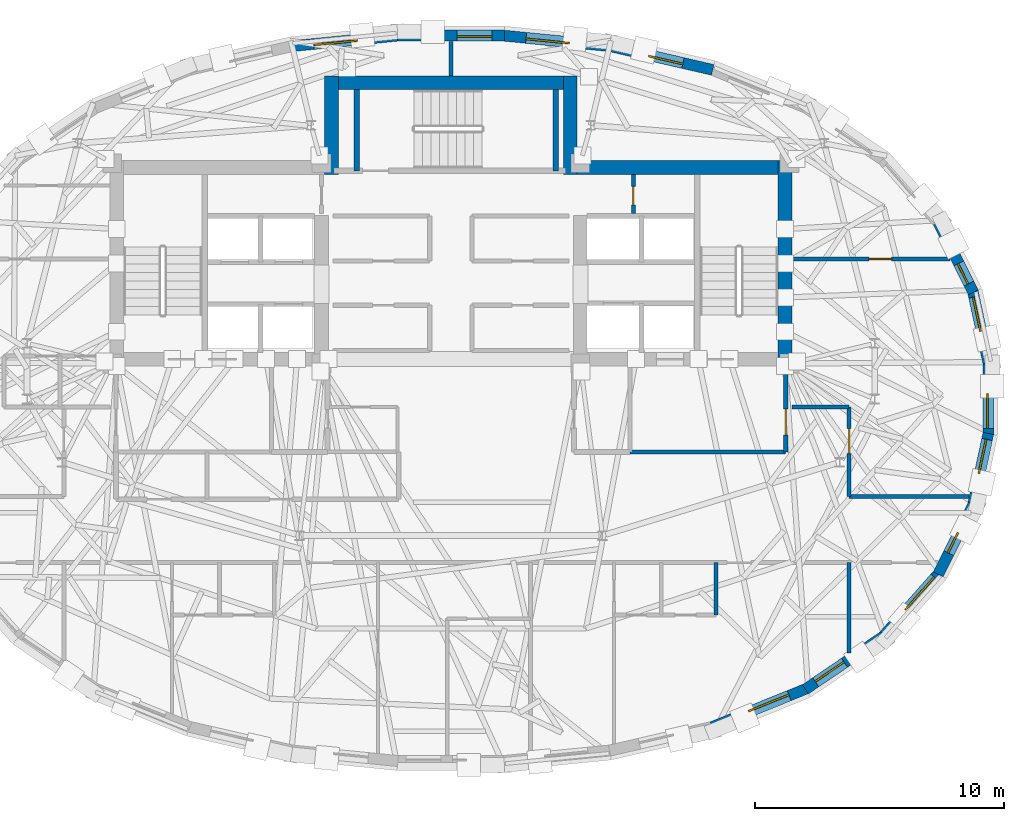
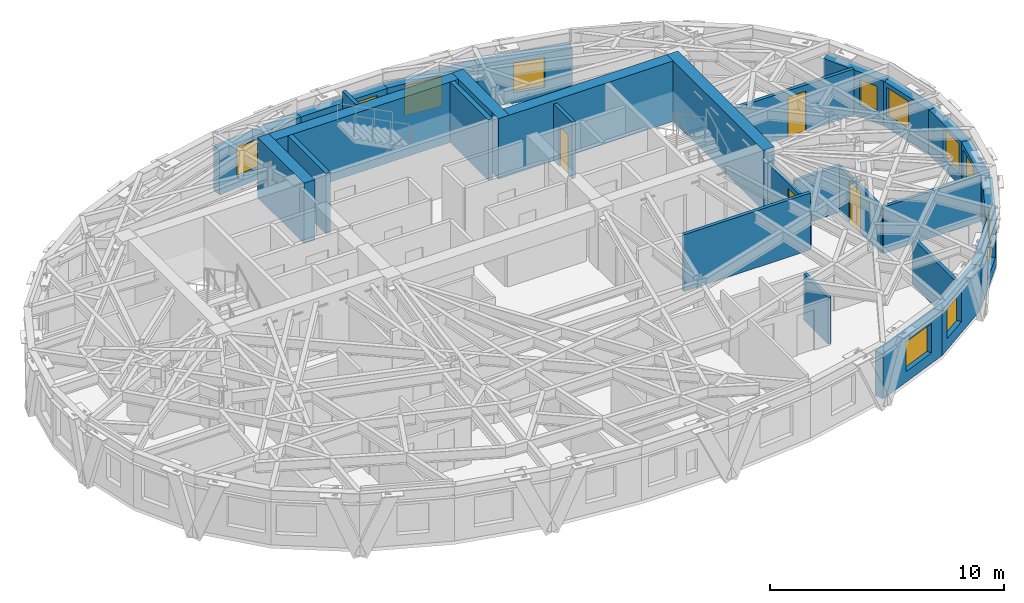
# One storey, part 9 of 13: 29 walls, 12 windows, 4 doors, 16 openings.
"""IFC4 building model written with IfcOpenShell, lengths in metres."""

from ifc_helpers import new_model, si_unit, direction, frame, frame_2d, origin, place, context, subcontext, project, spatial, rectangle, extrude, material, layer, layer_set, type_object, element, fill, save


model = new_model("IFC4")

# Units and contexts
model_context = context("Model", 3, precision=1e-05, world=origin(), true_north=direction((0.0, 1.0)))
body_context = subcontext(model_context, "Body", "Model", "MODEL_VIEW")
ifc_project = project(units=[si_unit("LENGTHUNIT", "METRE"), si_unit("AREAUNIT", "SQUARE_METRE"), si_unit("VOLUMEUNIT", "CUBIC_METRE"), si_unit("PLANEANGLEUNIT", "RADIAN"), si_unit("MASSUNIT", "GRAM", prefix="KILO")], contexts=[model_context])

# Site, building, storey
site_placement = place(None, origin())
site = spatial("IfcSite", under=ifc_project, at=site_placement, CompositionType="ELEMENT")
building_placement = place(site_placement, origin())
building = spatial("IfcBuilding", under=site, at=building_placement, Name="Keldmark Tower", CompositionType="ELEMENT")
storey_placement = place(building_placement, frame((0.0, 0.0, 235.199951171875)))
storey = spatial("IfcBuildingStorey", under=building, at=storey_placement, Name="L66", CompositionType="ELEMENT", Elevation=235.199951171875)

# Walls
ifc_material_1 = material(Name="Concrete C50/60", Category="concrete")
ifc_layer_1 = layer(ifc_material_1, 0.550048828125)
ifc_layer_set_1 = layer_set([ifc_layer_1], Name="Concrete C50/60")
wall_type_1 = type_object("IfcWallType", Name="High-Rise Core Shear Wall 550 mm", PredefinedType="SHEAR", material=ifc_layer_set_1)
wall_1_placement = place(storey_placement, frame((13.425048828125, 1.300048828125, 0.0), z_axis=(0.0, 0.0, 1.0), x_axis=(0.0, 1.0, 0.0)))
element("IfcWall", 1, at=wall_1_placement, inside=storey, type_object=wall_type_1, Name="L66 East Core Outer Shear Wall", PredefinedType="SHEAR", context=body_context, shape_type="SweptSolid", body=[
    extrude(rectangle(XDim=8.25, YDim=0.550048828125, at=frame_2d((4.125, 0.0))), origin(), (0.0, 0.0, 1.0), 3.150146484375),
])
wall_2_placement = place(storey_placement, frame((4.52490234375, 9.27490234375, 0.0), z_axis=(0.0, 0.0, 1.0), x_axis=(1.0, 0.0, 0.0)))
element("IfcWall", 2, at=wall_2_placement, inside=storey, type_object=wall_type_1, Name="L66 East Core North Shear Wall", PredefinedType="SHEAR", context=body_context, shape_type="SweptSolid", body=[
    extrude(rectangle(XDim=9.175048828125, YDim=0.550048828125, at=frame_2d((4.58740234375, 0.0))), origin(), (0.0, 0.0, 1.0), 3.150146484375),
])
wall_3_placement = place(storey_placement, frame((-5.074951171875, 12.675048828125, 0.0), z_axis=(0.0, 0.0, 1.0), x_axis=(1.0, 0.0, 0.0)))
element("IfcWall", 3, at=wall_3_placement, inside=storey, type_object=wall_type_1, Name="L66 North Core Shear Wall", PredefinedType="SHEAR", context=body_context, shape_type="SweptSolid", body=[
    extrude(rectangle(XDim=10.14990234375, YDim=0.550048828125, at=frame_2d((5.074951171875, 0.0))), origin(), (0.0, 0.0, 1.0), 3.150146484375),
])
for number, where, z_axis, x_axis, name in (
    (4, (-4.800048828125, 9.0, 0.0), (0.0, 0.0, 1.0), (0.0, 1.0, 0.0), "L66 North Core West Shear Wall"),
    (5, (4.800048828125, 9.0, 0.0), (0.0, 0.0, 1.0), (0.0, 1.0, 0.0), "L66 North Core East Shear Wall"),
):
    element("IfcWall", number, at=place(storey_placement, frame(where, z_axis=z_axis, x_axis=x_axis)), inside=storey, type_object=wall_type_1, Name=name, PredefinedType="SHEAR", context=body_context, shape_type="SweptSolid", body=[
        extrude(rectangle(XDim=3.949951171875, YDim=0.550048828125, at=frame_2d((1.97509765625, 0.0))), origin(), (0.0, 0.0, 1.0), 3.150146484375),
    ])
ifc_material_2 = material(Name="Type X Fire-Rated Gypsum Partition Assembly", Category="gypsum")
ifc_layer_2 = layer(ifc_material_2, 0.1650390625)
ifc_layer_set_2 = layer_set([ifc_layer_2], Name="Type X Fire-Rated Gypsum Partition Assembly")
wall_type_2 = type_object("IfcWallType", Name="Rated Partition 165 mm", PredefinedType="PARTITIONING", material=ifc_layer_set_2)
wall_4_placement = place(storey_placement, frame((7.199951171875, -2.14990234375, 0.0), z_axis=(0.0, 0.0, 1.0), x_axis=(1.0, 0.0, 0.0)))
element("IfcWall", 6, at=wall_4_placement, inside=storey, type_object=wall_type_2, Name="L66 Rated Partition 165 mm FSAE-E-S", PredefinedType="PARTITIONING", context=body_context, shape_type="SweptSolid", body=[
    extrude(rectangle(XDim=6.25, YDim=0.1650390625, at=frame_2d((3.125, 0.0))), origin(), (0.0, 0.0, 1.0), 2.969970703125),
])

# Wall, opening, door
wall_5_placement = place(storey_placement, frame((13.449951171875, -2.14990234375, 0.0), z_axis=(0.0, 0.0, 1.0), x_axis=(0.0, 1.0, 0.0)))
wall_5 = element("IfcWall", 7, at=wall_5_placement, inside=storey, type_object=wall_type_2, Name="L66 Rated Partition 165 mm FSAE-E-E", PredefinedType="PARTITIONING", context=body_context, shape_type="SweptSolid", body=[
    extrude(rectangle(XDim=3.5, YDim=0.1650390625, at=frame_2d((1.75, 0.0))), origin(), (0.0, 0.0, 1.0), 2.423095703125),
])
opening_1_placement = place(wall_5_placement, frame((0.669921875, 0.0, 0.0)))
opening_1 = element("IfcOpeningElement", 8, at=opening_1_placement, cuts=wall_5, Name="Opening D-FL105", PredefinedType="OPENING", context=body_context, shape_type="SweptSolid", body=[
    extrude(rectangle(XDim=1.050048828125, YDim=2.14990234375, at=frame_2d((0.52490234375, 1.074951171875))), frame((0.0, 0.092529296875, 0.0), z_axis=(0.0, -1.0, 0.0), x_axis=(1.0, 0.0, 0.0)), (0.0, 0.0, 1.0), 0.18505859375),
])
ifc_material_3 = material(Name="Fire-Rated Mineral-Core Door and Vision Lite", Category="metal")
door_type_1 = type_object("IfcDoorType", Name="Fire Lobby Door 1050x2150", OperationType="NOTDEFINED", PredefinedType="DOOR", material=ifc_material_3)
door_1_placement = place(opening_1_placement, origin())
door_1 = element("IfcDoor", 9, at=door_1_placement, inside=storey, type_object=door_type_1, Name="L66 Fire Lobby Door 1050x2150 D-FSAEE-OUT-L66", OperationType="SINGLE_SWING_RIGHT", OverallHeight=2.14990234375, OverallWidth=1.050048828125, PredefinedType="DOOR", context=body_context, shape_type="SweptSolid", body=[
    extrude(rectangle(XDim=1.050048828125, YDim=2.14990234375, at=frame_2d((0.52490234375, 1.074951171875))), frame((0.0, 0.02490234375, 0.0), z_axis=(0.0, -1.0, 0.0), x_axis=(1.0, 0.0, 0.0)), (0.0, 0.0, 1.0), 0.050048828125),
])
fill(opening_1, door_1)

wall_6_placement = place(storey_placement, frame((7.330078125, 7.419921875, 0.0), z_axis=(0.0, 0.0, 1.0), x_axis=(0.0, 1.0, 0.0)))
wall_6 = element("IfcWall", 10, at=wall_6_placement, inside=storey, type_object=wall_type_2, Name="L66 Rated Partition 165 mm CS-NE-W", PredefinedType="PARTITIONING", context=body_context, shape_type="SweptSolid", body=[
    extrude(rectangle(XDim=1.580078125, YDim=0.1650390625, at=frame_2d((0.7900390625, 0.0))), origin(), (0.0, 0.0, 1.0), 2.969970703125),
])
opening_2_placement = place(wall_6_placement, frame((0.35009765625, 0.0, 0.0)))
opening_2 = element("IfcOpeningElement", 11, at=opening_2_placement, cuts=wall_6, Name="Opening D-RS075", PredefinedType="OPENING", context=body_context, shape_type="SweptSolid", body=[
    extrude(rectangle(XDim=0.75, YDim=2.10009765625, at=frame_2d((0.375, 1.050048828125))), frame((0.0, 0.092529296875, 0.0), z_axis=(0.0, -1.0, 0.0), x_axis=(1.0, 0.0, 0.0)), (0.0, 0.0, 1.0), 0.18505859375),
])
ifc_material_4 = material(Name="Galvanized Fire-Rated Access Leaf", Category="metal")
door_type_2 = type_object("IfcDoorType", Name="Riser Access Door 750x2100", OperationType="NOTDEFINED", PredefinedType="DOOR", material=ifc_material_4)
door_2_placement = place(opening_2_placement, origin())
door_2 = element("IfcDoor", 12, at=door_2_placement, inside=storey, type_object=door_type_2, Name="L66 Riser Access Door 750x2100 D-CSNE1-L66", OperationType="SINGLE_SWING_RIGHT", OverallHeight=2.10009765625, OverallWidth=0.75, PredefinedType="DOOR", context=body_context, shape_type="SweptSolid", body=[
    extrude(rectangle(XDim=0.75, YDim=2.10009765625, at=frame_2d((0.375, 1.050048828125))), frame((0.0, 0.02490234375, 0.0), z_axis=(0.0, -1.0, 0.0), x_axis=(1.0, 0.0, 0.0)), (0.0, 0.0, 1.0), 0.050048828125),
])
fill(opening_2, door_2)

# Wall
wall_7_placement = place(storey_placement, frame((16.0, -3.949951171875, 0.0), z_axis=(0.0, 0.0, 1.0), x_axis=(1.0, 0.0, 0.0)))
element("IfcWall", 13, at=wall_7_placement, inside=storey, type_object=wall_type_2, Name="L66 Rated Partition 165 mm RCOR-EN-OUT", PredefinedType="PARTITIONING", context=body_context, shape_type="SweptSolid", body=[
    extrude(rectangle(XDim=4.81396484375, YDim=0.1650390625, at=frame_2d((2.406982421875, 0.0))), origin(), (0.0, 0.0, 1.0), 2.423095703125),
])

# Wall, opening, door
wall_8_placement = place(storey_placement, frame((16.0, -3.949951171875, 0.0), z_axis=(0.0, 0.0, 1.0), x_axis=(0.0, 1.0, 0.0)))
wall_8 = element("IfcWall", 14, at=wall_8_placement, inside=storey, type_object=wall_type_2, Name="L66 Rated Partition 165 mm RCOR-VE", PredefinedType="PARTITIONING", context=body_context, shape_type="SweptSolid", body=[
    extrude(rectangle(XDim=3.599853515625, YDim=0.1650390625, at=frame_2d((1.7998046875, 0.0))), origin(), (0.0, 0.0, 1.0), 2.35693359375),
])
opening_3_placement = place(wall_8_placement, frame((1.72998046875, 0.0, 0.0)))
opening_3 = element("IfcOpeningElement", 15, at=opening_3_placement, cuts=wall_8, Name="Opening D-FD100", PredefinedType="OPENING", context=body_context, shape_type="SweptSolid", body=[
    extrude(rectangle(XDim=1.0, YDim=2.14990234375, at=frame_2d((0.5, 1.074951171875))), frame((0.0, 0.092529296875, 0.0), z_axis=(0.0, -1.0, 0.0), x_axis=(1.0, 0.0, 0.0)), (0.0, 0.0, 1.0), 0.18505859375),
])
ifc_material_5 = material(Name="Hollow Metal Fire-Rated Corridor Door", Category="metal")
door_type_3 = type_object("IfcDoorType", Name="Fire Door 1000x2150", OperationType="NOTDEFINED", PredefinedType="DOOR", material=ifc_material_5)
door_3_placement = place(opening_3_placement, origin())
door_3 = element("IfcDoor", 16, at=door_3_placement, inside=storey, type_object=door_type_3, Name="L66 Fire Door 1000x2150 D-REM1-L66", OperationType="SINGLE_SWING_RIGHT", OverallHeight=2.14990234375, OverallWidth=1.0, PredefinedType="DOOR", context=body_context, shape_type="SweptSolid", body=[
    extrude(rectangle(XDim=1.0, YDim=2.14990234375, at=frame_2d((0.5, 1.074951171875))), frame((0.0, 0.02490234375, 0.0), z_axis=(0.0, -1.0, 0.0), x_axis=(1.0, 0.0, 0.0)), (0.0, 0.0, 1.0), 0.050048828125),
])
fill(opening_3, door_3)

# Walls
wall_9_placement = place(storey_placement, frame((13.699951171875, -0.35009765625, 0.0), z_axis=(0.0, 0.0, 1.0), x_axis=(1.0, 0.0, 0.0)))
element("IfcWall", 17, at=wall_9_placement, inside=storey, type_object=wall_type_2, Name="L66 Rated Partition 165 mm RCOR-VEN", PredefinedType="PARTITIONING", context=body_context, shape_type="SweptSolid", body=[
    extrude(rectangle(XDim=2.300048828125, YDim=0.1650390625, at=frame_2d((1.14990234375, 0.0))), origin(), (0.0, 0.0, 1.0), 2.423095703125),
])
wall_10_placement = place(storey_placement, frame((0.0, 12.949951171875, 0.0), z_axis=(0.0, 0.0, 1.0), x_axis=(0.0, 1.0, 0.0)))
element("IfcWall", 18, at=wall_10_placement, inside=storey, type_object=wall_type_2, Name="L66 Rated Partition 165 mm RN-DIV", PredefinedType="PARTITIONING", context=body_context, shape_type="SweptSolid", body=[
    extrude(rectangle(XDim=1.390869140625, YDim=0.1650390625, at=frame_2d((0.6953125, 0.0))), origin(), (0.0, 0.0, 1.0), 2.969970703125),
])

# Wall, opening, door
wall_11_placement = place(storey_placement, frame((13.699951171875, 5.60009765625, 0.0), z_axis=(0.0, 0.0, 1.0), x_axis=(1.0, 0.0, 0.0)))
wall_11 = element("IfcWall", 19, at=wall_11_placement, inside=storey, type_object=wall_type_2, Name="L66 Rated Partition 165 mm RE-NDIV", PredefinedType="PARTITIONING", context=body_context, shape_type="SweptSolid", body=[
    extrude(rectangle(XDim=6.35986328125, YDim=0.1650390625, at=frame_2d((3.179931640625, 0.0))), origin(), (0.0, 0.0, 1.0), 2.423095703125),
])
opening_4_placement = place(wall_11_placement, frame((3.10107421875, 0.0, 0.0)))
opening_4 = element("IfcOpeningElement", 20, at=opening_4_placement, cuts=wall_11, Name="Opening D-IN090", PredefinedType="OPENING", context=body_context, shape_type="SweptSolid", body=[
    extrude(rectangle(XDim=0.89990234375, YDim=2.10009765625, at=frame_2d((0.449951171875, 1.050048828125))), frame((0.0, 0.092529296875, 0.0), z_axis=(0.0, -1.0, 0.0), x_axis=(1.0, 0.0, 0.0)), (0.0, 0.0, 1.0), 0.18505859375),
])
ifc_material_6 = material(Name="Stained American White Oak Veneer", Category="wood")
door_type_4 = type_object("IfcDoorType", Name="Interior Door 900x2100", OperationType="NOTDEFINED", PredefinedType="DOOR", material=ifc_material_6)
door_4_placement = place(opening_4_placement, origin())
door_4 = element("IfcDoor", 21, at=door_4_placement, inside=storey, type_object=door_type_4, Name="L66 Interior Door 900x2100 D-REN1-L66", OperationType="SINGLE_SWING_LEFT", OverallHeight=2.10009765625, OverallWidth=0.89990234375, PredefinedType="DOOR", context=body_context, shape_type="SweptSolid", body=[
    extrude(rectangle(XDim=0.89990234375, YDim=2.10009765625, at=frame_2d((0.449951171875, 1.050048828125))), frame((0.0, 0.02490234375, 0.0), z_axis=(0.0, -1.0, 0.0), x_axis=(1.0, 0.0, 0.0)), (0.0, 0.0, 1.0), 0.050048828125),
])
fill(opening_4, door_4)

# Walls
wall_12_placement = place(storey_placement, frame((16.0, -10.220703125, 0.0), z_axis=(0.0, 0.0, 1.0), x_axis=(0.0, 1.0, 0.0)))
element("IfcWall", 22, at=wall_12_placement, inside=storey, type_object=wall_type_2, Name="L66 Rated Partition 165 mm RS-ECAP", PredefinedType="PARTITIONING", context=body_context, shape_type="SweptSolid", body=[
    extrude(rectangle(XDim=3.62060546875, YDim=0.1650390625, at=frame_2d((1.810302734375, 0.0))), origin(), (0.0, 0.0, 1.0), 2.423095703125),
])
ifc_material_7 = material(Name="Concrete C50/60", Category="concrete")
ifc_layer_3 = layer(ifc_material_7, 0.219970703125)
ifc_layer_set_3 = layer_set([ifc_layer_3], Name="Concrete C50/60")
wall_type_3 = type_object("IfcWallType", Name="Stair Core Shear Wall 220 mm", PredefinedType="SHEAR", material=ifc_layer_set_3)
for number, where, z_axis, x_axis, name in (
    (23, (-3.784912109375, 9.139892578125, 0.0), (0.0, 0.0, 1.0), (0.0, 1.0, 0.0), "L66 Central Stair Core West Shear Wall"),
    (24, (4.215087890625, 9.139892578125, 0.0), (0.0, 0.0, 1.0), (0.0, 1.0, 0.0), "L66 Central Stair Core East Shear Wall"),
):
    element("IfcWall", number, at=place(storey_placement, frame(where, z_axis=z_axis, x_axis=x_axis)), inside=storey, type_object=wall_type_3, Name=name, PredefinedType="SHEAR", context=body_context, shape_type="SweptSolid", body=[
        extrude(rectangle(XDim=3.260009765625, YDim=0.219970703125, at=frame_2d((1.6298828125, 0.0))), origin(), (0.0, 0.0, 1.0), 3.150146484375),
    ])

# Wall, opening, window
ifc_material_8 = material(Name="Ironspot Manganese Brick and Kasota Buff Limestone Spandrel Assembly", Category="masonry")
ifc_layer_4 = layer(ifc_material_8, 0.43994140625)
ifc_layer_set_4 = layer_set([ifc_layer_4], Name="Ironspot Manganese Brick and Kasota Buff Limestone Spandrel Assembly")
wall_type_4 = type_object("IfcWallType", Name="Tower Brick Pier and Spandrel Wall 440 mm", PredefinedType="STANDARD", material=ifc_layer_set_4)
wall_13_placement = place(storey_placement, frame((20.969482421875, 4.311279296875, 0.0), z_axis=(0.0, 0.0, 1.0), x_axis=(0.210540350534, -0.977585168053, 0.0)))
wall_13 = element("IfcWall", 25, at=wall_13_placement, inside=storey, type_object=wall_type_4, Name="L66 Exterior Brick and Spandrel Wall 01", PredefinedType="STANDARD", context=body_context, shape_type="SweptSolid", body=[
    extrude(rectangle(XDim=2.96728515625, YDim=0.43994140625, at=frame_2d((1.483642578125, 0.0))), origin(), (0.0, 0.0, 1.0), 2.3359375),
])
opening_5_placement = place(wall_13_placement, frame((0.24853515625, 0.0, 0.550048828125)))
opening_5 = element("IfcOpeningElement", 26, at=opening_5_placement, cuts=wall_13, Name="Opening W-08", PredefinedType="OPENING", context=body_context, shape_type="SweptSolid", body=[
    extrude(rectangle(XDim=1.39990234375, YDim=1.550048828125, at=frame_2d((0.699951171875, 0.77490234375))), frame((0.0, 0.22998046875, 0.0), z_axis=(0.0, -1.0, 0.0), x_axis=(1.0, 0.0, 0.0)), (0.0, 0.0, 1.0), 0.4599609375),
])
ifc_material_9 = material(Name="Thermally Broken Anodized Aluminum and Triple Low-E Argon Glazing", Category="aluminium")
window_type_1 = type_object("IfcWindowType", Name="Residential Corner Punched Window 1400x1550", PartitioningType="SINGLE_PANEL", PredefinedType="WINDOW", material=ifc_material_9)
window_1_placement = place(opening_5_placement, origin())
window_1 = element("IfcWindow", 27, at=window_1_placement, inside=storey, type_object=window_type_1, Name="L66 Deep-Set Window 01", OverallHeight=1.550048828125, OverallWidth=1.39990234375, PartitioningType="SINGLE_PANEL", PredefinedType="WINDOW", context=body_context, shape_type="SweptSolid", body=[
    extrude(rectangle(XDim=1.39990234375, YDim=1.550048828125, at=frame_2d((0.699951171875, 0.77490234375))), frame((0.0, -0.010009765625, 0.0), z_axis=(0.0, -1.0, 0.0), x_axis=(1.0, 0.0, 0.0)), (0.0, 0.0, 1.0), 0.06005859375),
])
fill(opening_5, window_1)

wall_14_placement = place(storey_placement, frame((19.578125, 7.068603515625, 0.0), z_axis=(0.0, 0.0, 1.0), x_axis=(0.448424724145, -0.893820601002, 0.0)))
wall_14 = element("IfcWall", 28, at=wall_14_placement, inside=storey, type_object=wall_type_4, Name="L66 Exterior Brick and Spandrel Wall 02", PredefinedType="STANDARD", context=body_context, shape_type="SweptSolid", body=[
    extrude(rectangle(XDim=3.1435546875, YDim=0.43994140625, at=frame_2d((1.57177734375, 0.0))), origin(), (0.0, 0.0, 1.0), 2.3359375),
])
opening_6_placement = place(wall_14_placement, frame((1.84423828125, 0.0, 0.580078125)))
opening_6 = element("IfcOpeningElement", 29, at=opening_6_placement, cuts=wall_14, Name="Opening W-09", PredefinedType="OPENING", context=body_context, shape_type="SweptSolid", body=[
    extrude(rectangle(XDim=0.89990234375, YDim=1.35009765625, at=frame_2d((0.449951171875, 0.675048828125))), frame((0.0, 0.22998046875, 0.0), z_axis=(0.0, -1.0, 0.0), x_axis=(1.0, 0.0, 0.0)), (0.0, 0.0, 1.0), 0.4599609375),
])
ifc_material_10 = material(Name="Thermally Broken Anodized Aluminum and Triple Low-E Argon Glazing", Category="aluminium")
window_type_2 = type_object("IfcWindowType", Name="Corner Pier Deep-Set Window 900x1350", PartitioningType="SINGLE_PANEL", PredefinedType="WINDOW", material=ifc_material_10)
window_2_placement = place(opening_6_placement, origin())
window_2 = element("IfcWindow", 30, at=window_2_placement, inside=storey, type_object=window_type_2, Name="L66 Deep-Set Window 02", OverallHeight=1.35009765625, OverallWidth=0.89990234375, PartitioningType="SINGLE_PANEL", PredefinedType="WINDOW", context=body_context, shape_type="SweptSolid", body=[
    extrude(rectangle(XDim=0.89990234375, YDim=1.35009765625, at=frame_2d((0.449951171875, 0.675048828125))), frame((0.0, -0.010009765625, 0.0), z_axis=(0.0, -1.0, 0.0), x_axis=(1.0, 0.0, 0.0)), (0.0, 0.0, 1.0), 0.06005859375),
])
fill(opening_6, window_2)

wall_15_placement = place(storey_placement, frame((6.376708984375, 14.150634765625, 0.0), z_axis=(0.0, 0.0, 1.0), x_axis=(0.974398936081, -0.224825962391, 0.0)))
wall_15 = element("IfcWall", 31, at=wall_15_placement, inside=storey, type_object=wall_type_4, Name="L66 Exterior Brick and Spandrel Wall 06", PredefinedType="STANDARD", context=body_context, shape_type="SweptSolid", body=[
    extrude(rectangle(XDim=4.25244140625, YDim=0.43994140625, at=frame_2d((2.126220703125, 0.0))), origin(), (0.0, 0.0, 1.0), 2.3359375),
])
opening_7_placement = place(wall_15_placement, frame((1.622314453125, 0.0, 0.550048828125)))
opening_7 = element("IfcOpeningElement", 32, at=opening_7_placement, cuts=wall_15, Name="Opening W-08", PredefinedType="OPENING", context=body_context, shape_type="SweptSolid", body=[
    extrude(rectangle(XDim=1.39990234375, YDim=1.550048828125, at=frame_2d((0.699951171875, 0.77490234375))), frame((0.0, 0.22998046875, 0.0), z_axis=(0.0, -1.0, 0.0), x_axis=(1.0, 0.0, 0.0)), (0.0, 0.0, 1.0), 0.4599609375),
])
window_3_placement = place(opening_7_placement, origin())
window_3 = element("IfcWindow", 33, at=window_3_placement, inside=storey, type_object=window_type_1, Name="L66 Deep-Set Window 06", OverallHeight=1.550048828125, OverallWidth=1.39990234375, PartitioningType="SINGLE_PANEL", PredefinedType="WINDOW", context=body_context, shape_type="SweptSolid", body=[
    extrude(rectangle(XDim=1.39990234375, YDim=1.550048828125, at=frame_2d((0.699951171875, 0.77490234375))), frame((0.0, -0.010009765625, 0.0), z_axis=(0.0, -1.0, 0.0), x_axis=(1.0, 0.0, 0.0)), (0.0, 0.0, 1.0), 0.06005859375),
])
fill(opening_7, window_3)

wall_16_placement = place(storey_placement, frame((2.126220703125, 14.56982421875, 0.0), z_axis=(0.0, 0.0, 1.0), x_axis=(0.995134540264, -0.098525361068, 0.0)))
wall_16 = element("IfcWall", 34, at=wall_16_placement, inside=storey, type_object=wall_type_4, Name="L66 Exterior Brick and Spandrel Wall 07", PredefinedType="STANDARD", context=body_context, shape_type="SweptSolid", body=[
    extrude(rectangle(XDim=4.29931640625, YDim=0.43994140625, at=frame_2d((2.149658203125, 0.0))), origin(), (0.0, 0.0, 1.0), 2.3359375),
])
opening_8_placement = place(wall_16_placement, frame((0.899658203125, 0.0, 0.550048828125)))
opening_8 = element("IfcOpeningElement", 35, at=opening_8_placement, cuts=wall_16, Name="Opening W-05", PredefinedType="OPENING", context=body_context, shape_type="SweptSolid", body=[
    extrude(rectangle(XDim=1.75, YDim=1.550048828125, at=frame_2d((0.875, 0.77490234375))), frame((0.0, 0.22998046875, 0.0), z_axis=(0.0, -1.0, 0.0), x_axis=(1.0, 0.0, 0.0)), (0.0, 0.0, 1.0), 0.4599609375),
])
ifc_material_11 = material(Name="Thermally Broken Anodized Aluminum and Triple Low-E Argon Glazing", Category="aluminium")
window_type_3 = type_object("IfcWindowType", Name="Residential Deep-Set Window 1750x1550", PartitioningType="DOUBLE_PANEL_VERTICAL", PredefinedType="WINDOW", material=ifc_material_11)
window_4_placement = place(opening_8_placement, origin())
window_4 = element("IfcWindow", 36, at=window_4_placement, inside=storey, type_object=window_type_3, Name="L66 Deep-Set Window 07", OverallHeight=1.550048828125, OverallWidth=1.75, PartitioningType="SINGLE_PANEL", PredefinedType="WINDOW", context=body_context, shape_type="SweptSolid", body=[
    extrude(rectangle(XDim=1.75, YDim=1.550048828125, at=frame_2d((0.875, 0.77490234375))), frame((0.0, -0.010009765625, 0.0), z_axis=(0.0, -1.0, 0.0), x_axis=(1.0, 0.0, 0.0)), (0.0, 0.0, 1.0), 0.06005859375),
])
fill(opening_8, window_4)

wall_17_placement = place(storey_placement, frame((-2.14794921875, 14.56884765625, 0.0), z_axis=(0.0, 0.0, 1.0), x_axis=(1.0, 0.0, 0.0)))
wall_17 = element("IfcWall", 37, at=wall_17_placement, inside=storey, type_object=wall_type_4, Name="L66 Exterior Brick and Spandrel Wall 08", PredefinedType="STANDARD", context=body_context, shape_type="SweptSolid", body=[
    extrude(rectangle(XDim=4.2958984375, YDim=0.43994140625, at=frame_2d((2.14794921875, 0.0))), origin(), (0.0, 0.0, 1.0), 2.3359375),
])
opening_9_placement = place(wall_17_placement, frame((2.396484375, 0.0, 0.580078125)))
opening_9 = element("IfcOpeningElement", 38, at=opening_9_placement, cuts=wall_17, Name="Opening W-08", PredefinedType="OPENING", context=body_context, shape_type="SweptSolid", body=[
    extrude(rectangle(XDim=1.39990234375, YDim=1.550048828125, at=frame_2d((0.699951171875, 0.77490234375))), frame((0.0, 0.22998046875, 0.0), z_axis=(0.0, -1.0, 0.0), x_axis=(1.0, 0.0, 0.0)), (0.0, 0.0, 1.0), 0.4599609375),
])
window_5_placement = place(opening_9_placement, origin())
window_5 = element("IfcWindow", 39, at=window_5_placement, inside=storey, type_object=window_type_1, Name="L66 Deep-Set Window 08", OverallHeight=1.550048828125, OverallWidth=1.39990234375, PartitioningType="SINGLE_PANEL", PredefinedType="WINDOW", context=body_context, shape_type="SweptSolid", body=[
    extrude(rectangle(XDim=1.39990234375, YDim=1.550048828125, at=frame_2d((0.699951171875, 0.77490234375))), frame((0.0, -0.010009765625, 0.0), z_axis=(0.0, -1.0, 0.0), x_axis=(1.0, 0.0, 0.0)), (0.0, 0.0, 1.0), 0.06005859375),
])
fill(opening_9, window_5)

wall_18_placement = place(storey_placement, frame((-6.404541015625, 14.146240234375, 0.0), z_axis=(0.0, 0.0, 1.0), x_axis=(0.995134540264, 0.098525361068, 0.0)))
wall_18 = element("IfcWall", 40, at=wall_18_placement, inside=storey, type_object=wall_type_4, Name="L66 Exterior Brick and Spandrel Wall 09", PredefinedType="STANDARD", context=body_context, shape_type="SweptSolid", body=[
    extrude(rectangle(XDim=4.29931640625, YDim=0.43994140625, at=frame_2d((2.149658203125, 0.0))), origin(), (0.0, 0.0, 1.0), 2.3359375),
])
opening_10_placement = place(wall_18_placement, frame((0.899658203125, 0.0, 0.550048828125)))
opening_10 = element("IfcOpeningElement", 41, at=opening_10_placement, cuts=wall_18, Name="Opening W-05", PredefinedType="OPENING", context=body_context, shape_type="SweptSolid", body=[
    extrude(rectangle(XDim=1.75, YDim=1.550048828125, at=frame_2d((0.875, 0.77490234375))), frame((0.0, 0.22998046875, 0.0), z_axis=(0.0, -1.0, 0.0), x_axis=(1.0, 0.0, 0.0)), (0.0, 0.0, 1.0), 0.4599609375),
])
window_6_placement = place(opening_10_placement, origin())
window_6 = element("IfcWindow", 42, at=window_6_placement, inside=storey, type_object=window_type_3, Name="L66 Deep-Set Window 09", OverallHeight=1.550048828125, OverallWidth=1.75, PartitioningType="SINGLE_PANEL", PredefinedType="WINDOW", context=body_context, shape_type="SweptSolid", body=[
    extrude(rectangle(XDim=1.75, YDim=1.550048828125, at=frame_2d((0.875, 0.77490234375))), frame((0.0, -0.010009765625, 0.0), z_axis=(0.0, -1.0, 0.0), x_axis=(1.0, 0.0, 0.0)), (0.0, 0.0, 1.0), 0.06005859375),
])
fill(opening_10, window_6)

wall_19_placement = place(storey_placement, frame((14.283203125, -11.666015625, 0.0), z_axis=(0.0, 0.0, 1.0), x_axis=(-0.926731976866, -0.375723093586, 0.0)))
wall_19 = element("IfcWall", 43, at=wall_19_placement, inside=storey, type_object=wall_type_4, Name="L66 Exterior Brick and Spandrel Wall 27", PredefinedType="STANDARD", context=body_context, shape_type="SweptSolid", body=[
    extrude(rectangle(XDim=4.09619140625, YDim=0.43994140625, at=frame_2d((2.048095703125, 0.0))), origin(), (0.0, 0.0, 1.0), 2.3359375),
])
opening_11_placement = place(wall_19_placement, frame((0.748779296875, 0.0, 0.550048828125)))
opening_11 = element("IfcOpeningElement", 44, at=opening_11_placement, cuts=wall_19, Name="Opening W-05", PredefinedType="OPENING", context=body_context, shape_type="SweptSolid", body=[
    extrude(rectangle(XDim=1.75, YDim=1.550048828125, at=frame_2d((0.875, 0.77490234375))), frame((0.0, 0.22998046875, 0.0), z_axis=(0.0, -1.0, 0.0), x_axis=(1.0, 0.0, 0.0)), (0.0, 0.0, 1.0), 0.4599609375),
])
window_7_placement = place(opening_11_placement, origin())
window_7 = element("IfcWindow", 45, at=window_7_placement, inside=storey, type_object=window_type_3, Name="L66 Deep-Set Window 27", OverallHeight=1.550048828125, OverallWidth=1.75, PartitioningType="SINGLE_PANEL", PredefinedType="WINDOW", context=body_context, shape_type="SweptSolid", body=[
    extrude(rectangle(XDim=1.75, YDim=1.550048828125, at=frame_2d((0.875, 0.77490234375))), frame((0.0, -0.010009765625, 0.0), z_axis=(0.0, -1.0, 0.0), x_axis=(1.0, 0.0, 0.0)), (0.0, 0.0, 1.0), 0.06005859375),
])
fill(opening_11, window_7)

wall_20_placement = place(storey_placement, frame((17.38134765625, -9.559326171875, 0.0), z_axis=(0.0, 0.0, 1.0), x_axis=(-0.827637036896, -0.561263694851, 0.0)))
wall_20 = element("IfcWall", 46, at=wall_20_placement, inside=storey, type_object=wall_type_4, Name="L66 Exterior Brick and Spandrel Wall 28", PredefinedType="STANDARD", context=body_context, shape_type="SweptSolid", body=[
    extrude(rectangle(XDim=3.792724609375, YDim=0.43994140625, at=frame_2d((1.896484375, 0.0))), origin(), (0.0, 0.0, 1.0), 2.3359375),
])
opening_12_placement = place(wall_20_placement, frame((1.893798828125, 0.0, 0.580078125)))
opening_12 = element("IfcOpeningElement", 47, at=opening_12_placement, cuts=wall_20, Name="Opening W-08", PredefinedType="OPENING", context=body_context, shape_type="SweptSolid", body=[
    extrude(rectangle(XDim=1.39990234375, YDim=1.550048828125, at=frame_2d((0.699951171875, 0.77490234375))), frame((0.0, 0.22998046875, 0.0), z_axis=(0.0, -1.0, 0.0), x_axis=(1.0, 0.0, 0.0)), (0.0, 0.0, 1.0), 0.4599609375),
])
window_8_placement = place(opening_12_placement, origin())
window_8 = element("IfcWindow", 48, at=window_8_placement, inside=storey, type_object=window_type_1, Name="L66 Deep-Set Window 28", OverallHeight=1.550048828125, OverallWidth=1.39990234375, PartitioningType="SINGLE_PANEL", PredefinedType="WINDOW", context=body_context, shape_type="SweptSolid", body=[
    extrude(rectangle(XDim=1.39990234375, YDim=1.550048828125, at=frame_2d((0.699951171875, 0.77490234375))), frame((0.0, -0.010009765625, 0.0), z_axis=(0.0, -1.0, 0.0), x_axis=(1.0, 0.0, 0.0)), (0.0, 0.0, 1.0), 0.06005859375),
])
fill(opening_12, window_8)

wall_21_placement = place(storey_placement, frame((19.609619140625, -7.021728515625, 0.0), z_axis=(0.0, 0.0, 1.0), x_axis=(-0.66136043846, -0.750068243855, 0.0)))
wall_21 = element("IfcWall", 49, at=wall_21_placement, inside=storey, type_object=wall_type_4, Name="L66 Exterior Brick and Spandrel Wall 29", PredefinedType="STANDARD", context=body_context, shape_type="SweptSolid", body=[
    extrude(rectangle(XDim=3.431884765625, YDim=0.43994140625, at=frame_2d((1.7158203125, 0.0))), origin(), (0.0, 0.0, 1.0), 2.3359375),
])
opening_13_placement = place(wall_21_placement, frame((0.249267578125, 0.0, 0.550048828125)))
opening_13 = element("IfcOpeningElement", 50, at=opening_13_placement, cuts=wall_21, Name="Opening W-05", PredefinedType="OPENING", context=body_context, shape_type="SweptSolid", body=[
    extrude(rectangle(XDim=1.75, YDim=1.550048828125, at=frame_2d((0.875, 0.77490234375))), frame((0.0, 0.22998046875, 0.0), z_axis=(0.0, -1.0, 0.0), x_axis=(1.0, 0.0, 0.0)), (0.0, 0.0, 1.0), 0.4599609375),
])
window_9_placement = place(opening_13_placement, origin())
window_9 = element("IfcWindow", 51, at=window_9_placement, inside=storey, type_object=window_type_3, Name="L66 Deep-Set Window 29", OverallHeight=1.550048828125, OverallWidth=1.75, PartitioningType="SINGLE_PANEL", PredefinedType="WINDOW", context=body_context, shape_type="SweptSolid", body=[
    extrude(rectangle(XDim=1.75, YDim=1.550048828125, at=frame_2d((0.875, 0.77490234375))), frame((0.0, -0.010009765625, 0.0), z_axis=(0.0, -1.0, 0.0), x_axis=(1.0, 0.0, 0.0)), (0.0, 0.0, 1.0), 0.06005859375),
])
fill(opening_13, window_9)

wall_22_placement = place(storey_placement, frame((20.98779296875, -4.2587890625, 0.0), z_axis=(0.0, 0.0, 1.0), x_axis=(-0.448424724145, -0.893820601002, 0.0)))
wall_22 = element("IfcWall", 52, at=wall_22_placement, inside=storey, type_object=wall_type_4, Name="L66 Exterior Brick and Spandrel Wall 30", PredefinedType="STANDARD", context=body_context, shape_type="SweptSolid", body=[
    extrude(rectangle(XDim=3.1435546875, YDim=0.43994140625, at=frame_2d((1.57177734375, 0.0))), origin(), (0.0, 0.0, 1.0), 2.3359375),
])
opening_14_placement = place(wall_22_placement, frame((1.296142578125, 0.0, 0.580078125)))
opening_14 = element("IfcOpeningElement", 53, at=opening_14_placement, cuts=wall_22, Name="Opening W-09", PredefinedType="OPENING", context=body_context, shape_type="SweptSolid", body=[
    extrude(rectangle(XDim=0.89990234375, YDim=1.35009765625, at=frame_2d((0.449951171875, 0.675048828125))), frame((0.0, 0.22998046875, 0.0), z_axis=(0.0, -1.0, 0.0), x_axis=(1.0, 0.0, 0.0)), (0.0, 0.0, 1.0), 0.4599609375),
])
window_10_placement = place(opening_14_placement, origin())
window_10 = element("IfcWindow", 54, at=window_10_placement, inside=storey, type_object=window_type_2, Name="L66 Deep-Set Window 30", OverallHeight=1.35009765625, OverallWidth=0.89990234375, PartitioningType="SINGLE_PANEL", PredefinedType="WINDOW", context=body_context, shape_type="SweptSolid", body=[
    extrude(rectangle(XDim=0.89990234375, YDim=1.35009765625, at=frame_2d((0.449951171875, 0.675048828125))), frame((0.0, -0.010009765625, 0.0), z_axis=(0.0, -1.0, 0.0), x_axis=(1.0, 0.0, 0.0)), (0.0, 0.0, 1.0), 0.06005859375),
])
fill(opening_14, window_10)

wall_23_placement = place(storey_placement, frame((21.59423828125, -1.410400390625, 0.0), z_axis=(0.0, 0.0, 1.0), x_axis=(-0.210540350534, -0.977585168053, 0.0)))
wall_23 = element("IfcWall", 55, at=wall_23_placement, inside=storey, type_object=wall_type_4, Name="L66 Exterior Brick and Spandrel Wall 31", PredefinedType="STANDARD", context=body_context, shape_type="SweptSolid", body=[
    extrude(rectangle(XDim=2.96728515625, YDim=0.43994140625, at=frame_2d((1.483642578125, 0.0))), origin(), (0.0, 0.0, 1.0), 2.3359375),
])
opening_15_placement = place(wall_23_placement, frame((0.24853515625, 0.0, 0.550048828125)))
opening_15 = element("IfcOpeningElement", 56, at=opening_15_placement, cuts=wall_23, Name="Opening W-08", PredefinedType="OPENING", context=body_context, shape_type="SweptSolid", body=[
    extrude(rectangle(XDim=1.39990234375, YDim=1.550048828125, at=frame_2d((0.699951171875, 0.77490234375))), frame((0.0, 0.22998046875, 0.0), z_axis=(0.0, -1.0, 0.0), x_axis=(1.0, 0.0, 0.0)), (0.0, 0.0, 1.0), 0.4599609375),
])
window_11_placement = place(opening_15_placement, origin())
window_11 = element("IfcWindow", 57, at=window_11_placement, inside=storey, type_object=window_type_1, Name="L66 Deep-Set Window 31", OverallHeight=1.550048828125, OverallWidth=1.39990234375, PartitioningType="SINGLE_PANEL", PredefinedType="WINDOW", context=body_context, shape_type="SweptSolid", body=[
    extrude(rectangle(XDim=1.39990234375, YDim=1.550048828125, at=frame_2d((0.699951171875, 0.77490234375))), frame((0.0, -0.010009765625, 0.0), z_axis=(0.0, -1.0, 0.0), x_axis=(1.0, 0.0, 0.0)), (0.0, 0.0, 1.0), 0.06005859375),
])
fill(opening_15, window_11)

wall_24_placement = place(storey_placement, frame((21.58935546875, 1.45654296875, 0.0), z_axis=(0.0, 0.0, 1.0), x_axis=(0.0, -1.0, 0.0)))
wall_24 = element("IfcWall", 58, at=wall_24_placement, inside=storey, type_object=wall_type_4, Name="L66 Exterior Brick and Spandrel Wall 32", PredefinedType="STANDARD", context=body_context, shape_type="SweptSolid", body=[
    extrude(rectangle(XDim=2.9130859375, YDim=0.43994140625, at=frame_2d((1.45654296875, 0.0))), origin(), (0.0, 0.0, 1.0), 2.3359375),
])
opening_16_placement = place(wall_24_placement, frame((1.264892578125, 0.0, 0.580078125)))
opening_16 = element("IfcOpeningElement", 59, at=opening_16_placement, cuts=wall_24, Name="Opening W-08", PredefinedType="OPENING", context=body_context, shape_type="SweptSolid", body=[
    extrude(rectangle(XDim=1.39990234375, YDim=1.550048828125, at=frame_2d((0.699951171875, 0.77490234375))), frame((0.0, 0.22998046875, 0.0), z_axis=(0.0, -1.0, 0.0), x_axis=(1.0, 0.0, 0.0)), (0.0, 0.0, 1.0), 0.4599609375),
])
window_12_placement = place(opening_16_placement, origin())
window_12 = element("IfcWindow", 60, at=window_12_placement, inside=storey, type_object=window_type_1, Name="L66 Deep-Set Window 32", OverallHeight=1.550048828125, OverallWidth=1.39990234375, PartitioningType="SINGLE_PANEL", PredefinedType="WINDOW", context=body_context, shape_type="SweptSolid", body=[
    extrude(rectangle(XDim=1.39990234375, YDim=1.550048828125, at=frame_2d((0.699951171875, 0.77490234375))), frame((0.0, -0.010009765625, 0.0), z_axis=(0.0, -1.0, 0.0), x_axis=(1.0, 0.0, 0.0)), (0.0, 0.0, 1.0), 0.06005859375),
])
fill(opening_16, window_12)

# Wall
ifc_material_12 = material(Name="Moisture-Resistant Gypsum Plumbing Partition", Category="gypsum")
ifc_layer_5 = layer(ifc_material_12, 0.14990234375)
ifc_layer_set_5 = layer_set([ifc_layer_5], Name="Moisture-Resistant Gypsum Plumbing Partition")
wall_type_5 = type_object("IfcWallType", Name="Wet Wall 150 mm", PredefinedType="PLUMBINGWALL", material=ifc_layer_set_5)
wall_25_placement = place(storey_placement, frame((10.64990234375, -8.699951171875, 0.0), z_axis=(0.0, 0.0, 1.0), x_axis=(0.0, 1.0, 0.0)))
element("IfcWall", 61, at=wall_25_placement, inside=storey, type_object=wall_type_5, Name="L66 Wet Wall 150 mm UB-BK-E", PredefinedType="PLUMBINGWALL", context=body_context, shape_type="SweptSolid", body=[
    extrude(rectangle(XDim=2.099853515625, YDim=0.14990234375, at=frame_2d((1.0498046875, 0.0))), origin(), (0.0, 0.0, 1.0), 2.423095703125),
])

save(model, "model.ifc")
